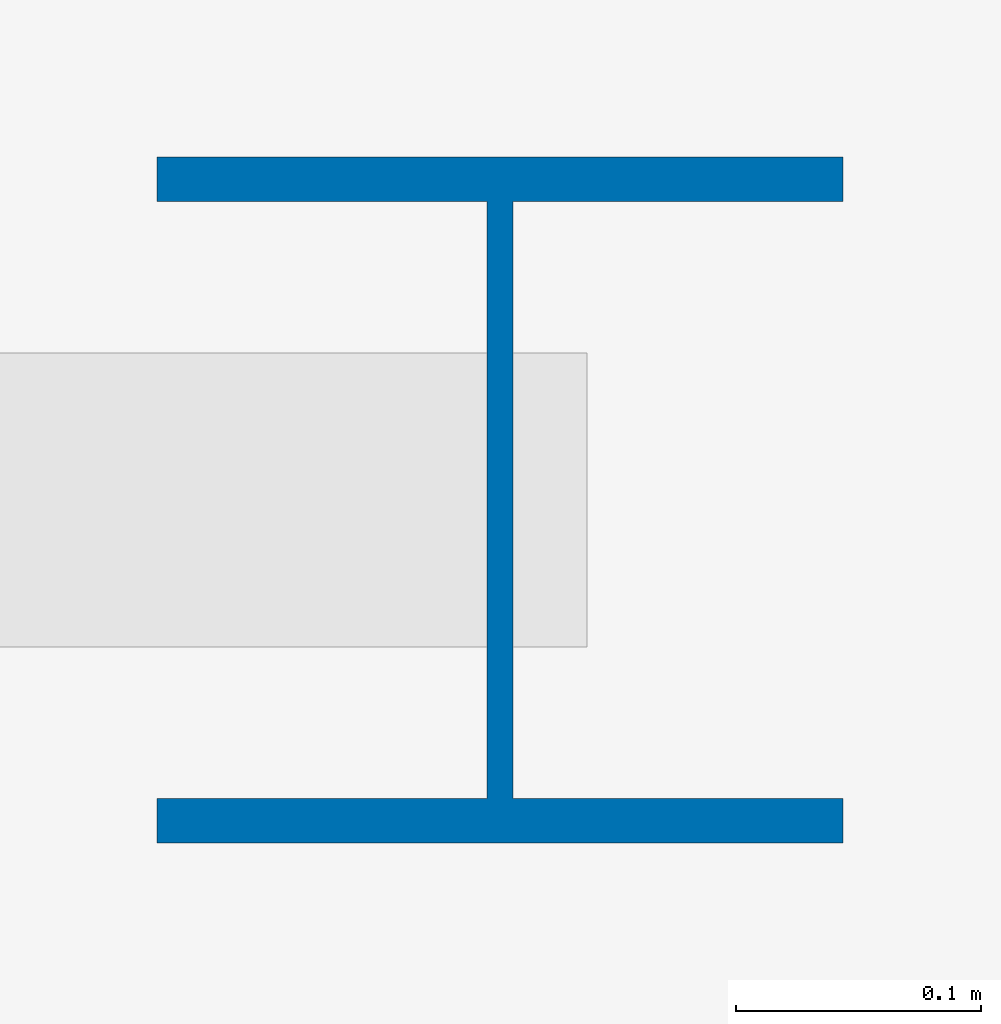
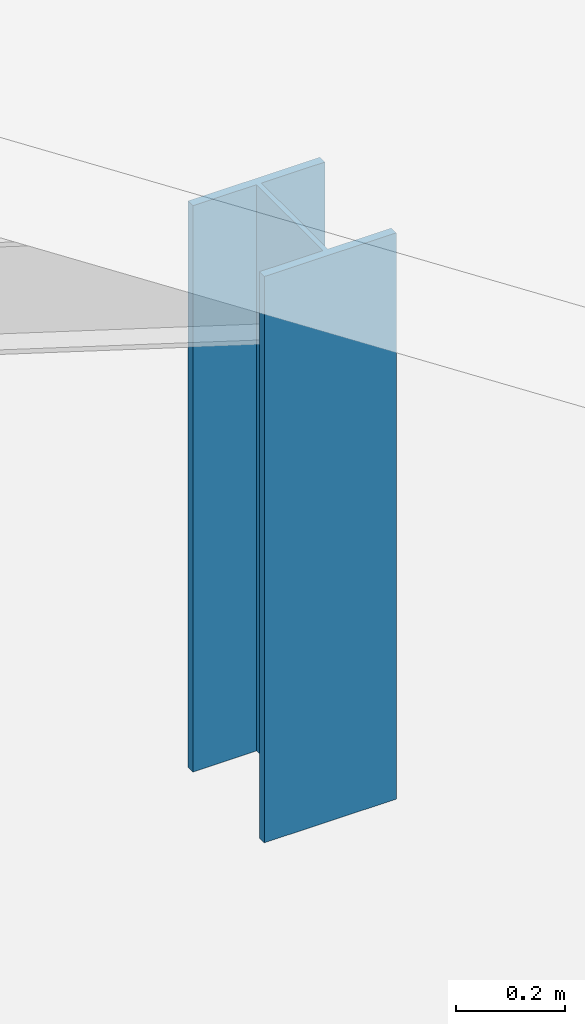
# One storey, part 4 of 45: 1 column.
"""IFC4 building model written with IfcOpenShell, lengths in metres."""

from ifc_helpers import new_model, si_unit, direction, frame, origin, origin_2d, place, context, subcontext, project, spatial, i_section, extrude, material, material_profile, profile_set, type_object, element, save


model = new_model("IFC4")

# Units and contexts
model_context = context("Model", 3, precision=1e-05, world=origin(), true_north=direction((0.0, 1.0)))
body_context = subcontext(model_context, "Body", "Model", "MODEL_VIEW")
ifc_project = project(units=[si_unit("LENGTHUNIT", "METRE"), si_unit("AREAUNIT", "SQUARE_METRE"), si_unit("VOLUMEUNIT", "CUBIC_METRE"), si_unit("PLANEANGLEUNIT", "RADIAN"), si_unit("MASSUNIT", "GRAM", prefix="KILO")], contexts=[model_context])

# Site, building, storey
site_placement = place(None, origin())
site = spatial("IfcSite", under=ifc_project, at=site_placement, CompositionType="ELEMENT")
building_placement = place(site_placement, origin())
building = spatial("IfcBuilding", under=site, at=building_placement, Name="Suanplinth Sawtooth Commons", CompositionType="ELEMENT")
storey_placement = place(building_placement, frame((0.0, 0.0, 38.0)))
storey = spatial("IfcBuildingStorey", under=building, at=storey_placement, Name="L11", CompositionType="ELEMENT", Elevation=38.0)

# Column
ifc_material = material(Name="Steel S355JR", Category="steel")
ifc_material_profile = material_profile(ifc_material, i_section(OverallWidth=0.280029296875, OverallDepth=0.280029296875, WebThickness=0.010498046875, FlangeThickness=0.01806640625, at=origin_2d()), Name="HEB 280")
ifc_profile_set = profile_set([ifc_material_profile], Name="Steel S355JR")
column_type = type_object("IfcColumnType", Name="C-11", PredefinedType="COLUMN", material=ifc_profile_set)
column_placement = place(storey_placement, frame((187.199951171875, 21.60009765625, 0.0), z_axis=(0.0, 0.0, 1.0), x_axis=(1.0, 0.0, 0.0)))
element("IfcColumn", 1, at=column_placement, inside=storey, type_object=column_type, Name="Return Crown Post C 3", PredefinedType="COLUMN", context=body_context, shape_type="SweptSolid", body=[
    extrude(i_section(OverallWidth=0.280029296875, OverallDepth=0.280029296875, WebThickness=0.010498046875, FlangeThickness=0.01806640625, at=origin_2d()), origin(), (0.0, 0.0, 1.0), 1.27001953125),
])

save(model, "model.ifc")
